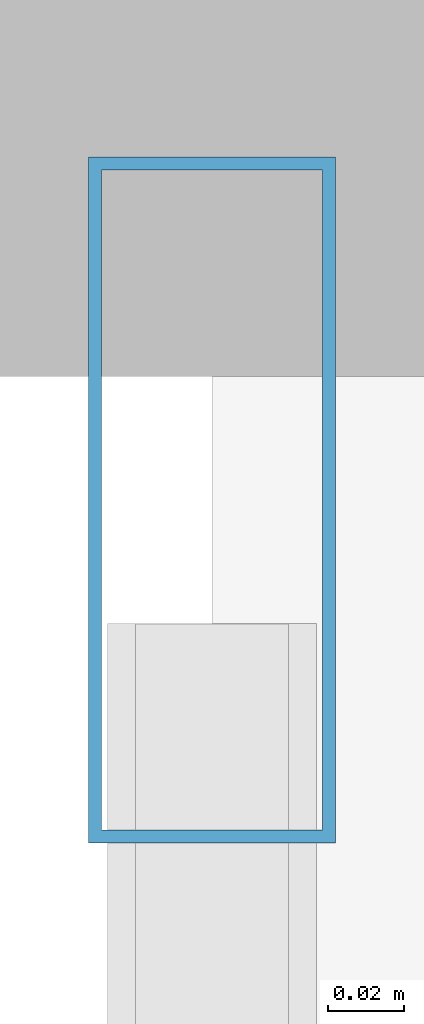
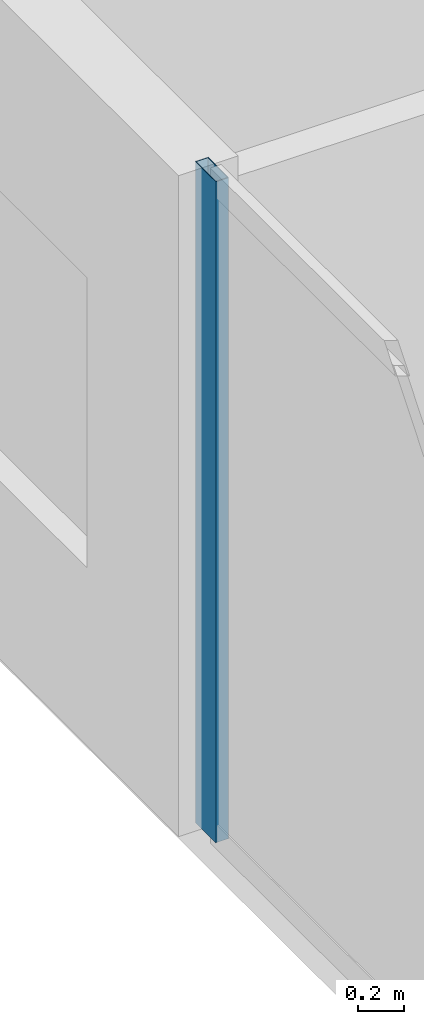
# One storey, part 15 of 32: 1 member, 1 element without a shape of its own.
"""IFC4 building model written with IfcOpenShell, lengths in metres."""

import ifcopenshell
import ifcopenshell.guid

model = None  # the IFC model being written
_history = None  # IfcOwnerHistory: only IFC2X3 demands one
_inside = {}  # id of a spatial element -> (the spatial element, [elements in it])
_under = {}  # id of a project, library or spatial element -> (it, [spatial elements below it])
_declared = {}  # id of a project -> (the project, [libraries it declares])
_typed = {}  # id of a type object -> (the type object, [elements of that type])
_made_of = {}  # id of a material, layer set ... -> (it, [elements and type objects made of it])


def new_model(schema):
    """Start an empty IFC model of exactly this schema.

    Asked for "IFC4X3", IfcOpenShell would pick the latest addendum, in which some entities
    have other attributes; the version numbers below select the first issue.
    IFC2X3 requires an IfcOwnerHistory on every rooted entity: one is made here for all.
    """
    global model, _history
    if schema == "IFC4X3":
        model = ifcopenshell.file(schema_version=(4, 3, 0, 0))
    else:
        model = ifcopenshell.file(schema=schema)
    _inside.clear()
    _under.clear()
    _declared.clear()
    _typed.clear()
    _made_of.clear()
    _history = None
    if model.schema == "IFC2X3":
        org = make("IfcOrganization", Name="unknown")
        user = make(
            "IfcPersonAndOrganization",
            ThePerson=make("IfcPerson", FamilyName="unknown"),
            TheOrganization=org,
        )
        app = make(
            "IfcApplication",
            ApplicationDeveloper=org,
            Version="unknown",
            ApplicationFullName="unknown",
            ApplicationIdentifier="unknown",
        )
        _history = make(
            "IfcOwnerHistory",
            OwningUser=user,
            OwningApplication=app,
            ChangeAction="ADDED",
            CreationDate=0,
        )
    return model


def make(cls, **values):
    """One entity of the class cls with the attributes given. An attribute that is None is left unset."""
    return model.create_entity(
        cls, **{name: value for name, value in values.items() if value is not None}
    )


def rooted(cls, **values):
    """An entity with a GlobalId (a new one), such as an element, a storey or a relation."""
    return make(cls, GlobalId=ifcopenshell.guid.new(), OwnerHistory=_history, **values)


def si_unit(unit_type, name, prefix=None):
    """IfcSIUnit, for example si_unit("LENGTHUNIT", "METRE", prefix="MILLI")."""
    return make("IfcSIUnit", UnitType=unit_type, Prefix=prefix, Name=name)


def assignment(units):
    """IfcUnitAssignment: the units of a project."""
    return None if units is None else make("IfcUnitAssignment", Units=units)


def point(xyz):
    """IfcCartesianPoint."""
    return None if xyz is None else make("IfcCartesianPoint", Coordinates=xyz)


def direction(xyz):
    """IfcDirection."""
    return None if xyz is None else make("IfcDirection", DirectionRatios=xyz)


def frame(location, z_axis=None, x_axis=None):
    """IfcAxis2Placement3D, a coordinate frame: its origin and axes. An axis left out is left unset."""
    return make(
        "IfcAxis2Placement3D",
        Location=point(location),
        Axis=direction(z_axis),
        RefDirection=direction(x_axis),
    )


def frame_2d(location, x_axis=None):
    """IfcAxis2Placement2D, a coordinate frame in the plane: its origin and x axis."""
    return make(
        "IfcAxis2Placement2D", Location=point(location), RefDirection=direction(x_axis)
    )


def origin():
    """The frame at (0, 0, 0) with its axes left unset."""
    return frame((0.0, 0.0, 0.0))


def origin_2d():
    """The frame at (0, 0) in the plane with its x axis left unset."""
    return frame_2d((0.0, 0.0))


def place(relative_to, where):
    """IfcLocalPlacement: puts the frame where relative to a parent placement (None: the world)."""
    return make(
        "IfcLocalPlacement", PlacementRelTo=relative_to, RelativePlacement=where
    )


def context(
    kind, dimensions, precision=None, world=None, true_north=None, identifier=None
):
    """IfcGeometricRepresentationContext, for example the 3D "Model" context."""
    return make(
        "IfcGeometricRepresentationContext",
        ContextIdentifier=identifier,
        ContextType=kind,
        CoordinateSpaceDimension=dimensions,
        Precision=precision,
        WorldCoordinateSystem=world,
        TrueNorth=true_north,
    )


def subcontext(parent, identifier, kind, view, scale=None):
    """IfcGeometricRepresentationSubContext, for example "Body" below "Model"."""
    return make(
        "IfcGeometricRepresentationSubContext",
        ContextIdentifier=identifier,
        ContextType=kind,
        ParentContext=parent,
        TargetScale=scale,
        TargetView=view,
    )


def project(units=None, contexts=None):
    """IfcProject with its units and contexts."""
    return rooted(
        "IfcProject",
        Name="project",
        RepresentationContexts=contexts,
        UnitsInContext=assignment(units),
    )


def spatial(cls, under=None, at=None, **own):
    """A site, building, storey or space (cls), placed at a placement, below another one or the project."""
    s = rooted(cls, ObjectPlacement=at, **own)
    if under is not None:
        _under.setdefault(under.id(), (under, []))[1].append(s)
    return s


def profile(cls, at=None, kind="AREA", **sizes):
    """A parametric profile (cls). Its sizes go by their IFC names, for example OverallWidth=200.0."""
    return make(cls, ProfileType=kind, Position=at, **sizes)


def hollow_rectangle(**sizes):
    """IfcRectangleHollowProfileDef."""
    return profile("IfcRectangleHollowProfileDef", **sizes)


def extrude(swept, where, along, depth):
    """IfcExtrudedAreaSolid: the profile swept, set in the frame where, extruded along a direction by depth."""
    return make(
        "IfcExtrudedAreaSolid",
        SweptArea=swept,
        Position=where,
        ExtrudedDirection=direction(along),
        Depth=depth,
    )


def shape(context_of_items, identifier, shape_type, items):
    """IfcShapeRepresentation: the items that make up one representation, for example the "Body"."""
    return make(
        "IfcShapeRepresentation",
        ContextOfItems=context_of_items,
        RepresentationIdentifier=identifier,
        RepresentationType=shape_type,
        Items=items,
    )


def material(Name=None, Category=None):
    """IfcMaterial."""
    return make("IfcMaterial", Name=Name, Category=Category)


def layer(
    of_material, thickness, ventilated=None, Name=None, Category=None, Priority=None
):
    """IfcMaterialLayer: one layer of a wall or slab, of a material (None: an air gap)."""
    return make(
        "IfcMaterialLayer",
        Material=of_material,
        LayerThickness=thickness,
        IsVentilated=ventilated,
        Name=Name,
        Category=Category,
        Priority=Priority,
    )


def layer_set(layers, Name=None):
    """IfcMaterialLayerSet."""
    return make("IfcMaterialLayerSet", MaterialLayers=layers, LayerSetName=Name)


def material_profile(
    of_material, cross_section, Name=None, Category=None, Priority=None
):
    """IfcMaterialProfile: a cross section and its material."""
    return make(
        "IfcMaterialProfile",
        Name=Name,
        Material=of_material,
        Profile=cross_section,
        Priority=Priority,
        Category=Category,
    )


def profile_set(profiles, Name=None, composite=None):
    """IfcMaterialProfileSet."""
    return make(
        "IfcMaterialProfileSet",
        Name=Name,
        MaterialProfiles=profiles,
        CompositeProfile=composite,
    )


def made_of(thing, what):
    """Note that an element or type object is made of a material, layer set ...; save() writes the relation."""
    if what is not None:
        _made_of.setdefault(what.id(), (what, []))[1].append(thing)
    return thing


def type_object(cls, material=None, **own):
    """A type object (cls), such as IfcWallType, which elements share."""
    return made_of(rooted(cls, **own), material)


def element(
    cls,
    number,
    at=None,
    inside=None,
    cuts=None,
    type_object=None,
    material=None,
    context=None,
    identifier="Body",
    shape_type=None,
    held_by="IfcProductDefinitionShape",
    body=None,
    shapes=None,
    **own,
):
    """One element of the class cls, such as IfcWall. Its Tag is "e" and its number.

    at: its placement. inside: the storey or other place that contains it. cuts: it is an
    opening in that element (IfcRelVoidsElement). A single representation is given by context,
    identifier, shape_type and body (its items); several are given by shapes. held_by: the class
    of the entity that holds the representations. save() writes the other relations.
    """
    e = rooted(cls, Tag="e%d" % number, ObjectPlacement=at, **own)
    if body is not None:
        shapes = [shape(context, identifier, shape_type, body)]
    if shapes is not None:
        e.Representation = make(held_by, Representations=shapes)
    if inside is not None:
        _inside.setdefault(inside.id(), (inside, []))[1].append(e)
    if cuts is not None:
        rooted(
            "IfcRelVoidsElement", RelatingBuildingElement=cuts, RelatedOpeningElement=e
        )
    if type_object is not None:
        _typed.setdefault(type_object.id(), (type_object, []))[1].append(e)
    return made_of(e, material)


def aggregate(whole, parts):
    """IfcRelAggregates: a whole, such as a stair, and the parts it consists of."""
    return rooted("IfcRelAggregates", RelatingObject=whole, RelatedObjects=parts)


def save(model, path):
    """Write the relations noted so far, then the file.

    IfcRelAggregates (storeys below a building ...), IfcRelContainedInSpatialStructure (elements
    in a storey), IfcRelDefinesByType, IfcRelAssociatesMaterial and IfcRelDeclares: one each for
    every whole, place, type object, material and project.
    """
    for whole, parts in _under.values():
        aggregate(whole, parts)
    for where, things in _inside.values():
        rooted(
            "IfcRelContainedInSpatialStructure",
            RelatedElements=things,
            RelatingStructure=where,
        )
    for kind, things in _typed.values():
        rooted("IfcRelDefinesByType", RelatedObjects=things, RelatingType=kind)
    for what, things in _made_of.values():
        rooted("IfcRelAssociatesMaterial", RelatedObjects=things, RelatingMaterial=what)
    for by, libraries in _declared.values():
        rooted("IfcRelDeclares", RelatingContext=by, RelatedDefinitions=libraries)
    model.write(path)


model = new_model("IFC4")

# Units and contexts
model_context = context("Model", 3, precision=1e-05, world=origin(), true_north=direction((0.0, 1.0)))
body_context = subcontext(model_context, "Body", "Model", "MODEL_VIEW")
ifc_project = project(units=[si_unit("LENGTHUNIT", "METRE"), si_unit("AREAUNIT", "SQUARE_METRE"), si_unit("VOLUMEUNIT", "CUBIC_METRE"), si_unit("PLANEANGLEUNIT", "RADIAN"), si_unit("MASSUNIT", "GRAM", prefix="KILO")], contexts=[model_context])

# Site, building, storey
site_placement = place(None, origin())
site = spatial("IfcSite", under=ifc_project, at=site_placement, CompositionType="ELEMENT")
building_placement = place(site_placement, origin())
building = spatial("IfcBuilding", under=site, at=building_placement, Name="Zuhayl Quay Hotel", CompositionType="ELEMENT")
storey_placement = place(building_placement, frame((0.0, 0.0, 188.64990234375)))
storey = spatial("IfcBuildingStorey", under=building, at=storey_placement, Name="L47", CompositionType="ELEMENT", Elevation=188.64990234375)

# Curtain wall, member
ifc_material_1 = material(Name="Anodised Aluminium 6063-T6", Category="aluminium")
ifc_layer = layer(ifc_material_1, 0.175048828125, Name="Anodised Aluminium 6063-T6", Category="aluminium")
ifc_layer_set = layer_set([ifc_layer], Name="Anodised Aluminium 6063-T6")
curtain_wall_type = type_object("IfcCurtainWallType", Name="CW_SYS_Z3", PredefinedType="USERDEFINED", material=ifc_layer_set)
curtain_wall_placement = place(storey_placement, origin())
curtain_wall = element("IfcCurtainWall", 1, at=curtain_wall_placement, inside=storey, type_object=curtain_wall_type, Name="L47 Curtain Wall ENV_L47_E05_CW1", ObjectType="UNITISED CURTAIN WALL", PredefinedType="USERDEFINED")
ifc_material_2 = material(Name="Black-anodised aluminium 6063-T6", Category="aluminium")
ifc_material_profile = material_profile(ifc_material_2, hollow_rectangle(XDim=0.06494140625, YDim=0.179931640625, WallThickness=0.00341796875, at=origin_2d()), Name="ALU180X65")
ifc_profile_set = profile_set([ifc_material_profile], Name="Black-anodised aluminium 6063-T6")
member_type = type_object("IfcMemberType", Name="MB_CW_MUL_180", PredefinedType="MULLION", material=ifc_profile_set)
member_placement = place(storey_placement, frame((-22.10009765625, 24.517578125, 0.0), z_axis=(0.0, 0.0, 1.0), x_axis=(-1.0, 0.0, 0.0)))
member = element("IfcMember", 2, at=member_placement, type_object=member_type, Name="CW-Z3 mullion 2", PredefinedType="MULLION", context=body_context, shape_type="SweptSolid", body=[
    extrude(hollow_rectangle(XDim=0.06494140625, YDim=0.179931640625, WallThickness=0.00341796875, at=origin_2d()), origin(), (0.0, 0.0, 1.0), 3.530029296875),
])
aggregate(curtain_wall, [member])

save(model, "model.ifc")
